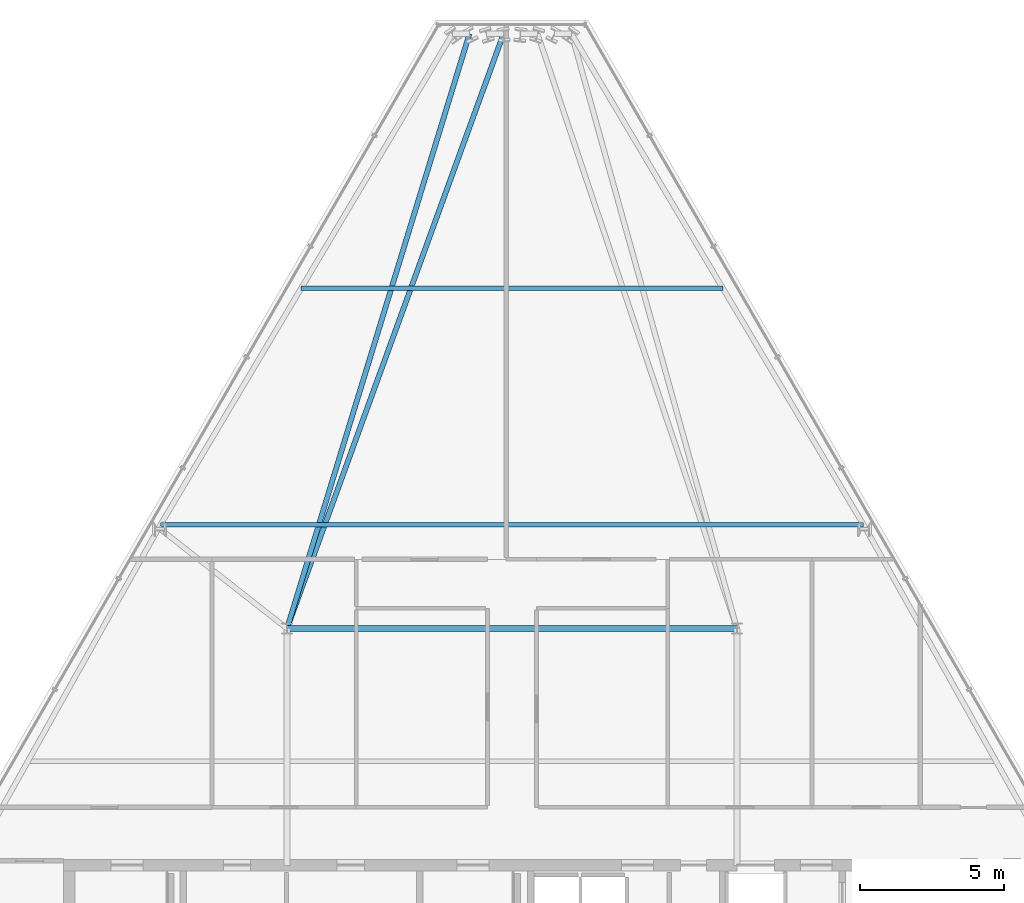
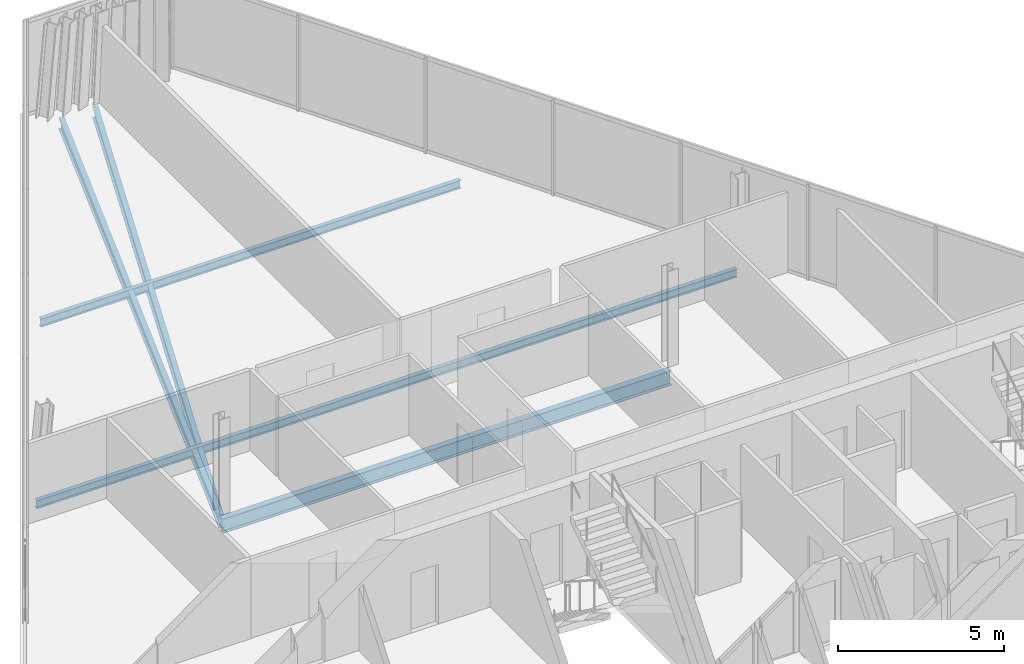
# One storey, part 18 of 35: 5 beams.
"""IFC4 building model written with IfcOpenShell, lengths in metres."""

import ifcopenshell
import ifcopenshell.guid

model = None  # the IFC model being written
_history = None  # IfcOwnerHistory: only IFC2X3 demands one
_inside = {}  # id of a spatial element -> (the spatial element, [elements in it])
_under = {}  # id of a project, library or spatial element -> (it, [spatial elements below it])
_declared = {}  # id of a project -> (the project, [libraries it declares])
_typed = {}  # id of a type object -> (the type object, [elements of that type])
_made_of = {}  # id of a material, layer set ... -> (it, [elements and type objects made of it])


def new_model(schema):
    """Start an empty IFC model of exactly this schema.

    Asked for "IFC4X3", IfcOpenShell would pick the latest addendum, in which some entities
    have other attributes; the version numbers below select the first issue.
    IFC2X3 requires an IfcOwnerHistory on every rooted entity: one is made here for all.
    """
    global model, _history
    if schema == "IFC4X3":
        model = ifcopenshell.file(schema_version=(4, 3, 0, 0))
    else:
        model = ifcopenshell.file(schema=schema)
    _inside.clear()
    _under.clear()
    _declared.clear()
    _typed.clear()
    _made_of.clear()
    _history = None
    if model.schema == "IFC2X3":
        org = make("IfcOrganization", Name="unknown")
        user = make(
            "IfcPersonAndOrganization",
            ThePerson=make("IfcPerson", FamilyName="unknown"),
            TheOrganization=org,
        )
        app = make(
            "IfcApplication",
            ApplicationDeveloper=org,
            Version="unknown",
            ApplicationFullName="unknown",
            ApplicationIdentifier="unknown",
        )
        _history = make(
            "IfcOwnerHistory",
            OwningUser=user,
            OwningApplication=app,
            ChangeAction="ADDED",
            CreationDate=0,
        )
    return model


def make(cls, **values):
    """One entity of the class cls with the attributes given. An attribute that is None is left unset."""
    return model.create_entity(
        cls, **{name: value for name, value in values.items() if value is not None}
    )


def rooted(cls, **values):
    """An entity with a GlobalId (a new one), such as an element, a storey or a relation."""
    return make(cls, GlobalId=ifcopenshell.guid.new(), OwnerHistory=_history, **values)


def si_unit(unit_type, name, prefix=None):
    """IfcSIUnit, for example si_unit("LENGTHUNIT", "METRE", prefix="MILLI")."""
    return make("IfcSIUnit", UnitType=unit_type, Prefix=prefix, Name=name)


def assignment(units):
    """IfcUnitAssignment: the units of a project."""
    return None if units is None else make("IfcUnitAssignment", Units=units)


def point(xyz):
    """IfcCartesianPoint."""
    return None if xyz is None else make("IfcCartesianPoint", Coordinates=xyz)


def direction(xyz):
    """IfcDirection."""
    return None if xyz is None else make("IfcDirection", DirectionRatios=xyz)


def frame(location, z_axis=None, x_axis=None):
    """IfcAxis2Placement3D, a coordinate frame: its origin and axes. An axis left out is left unset."""
    return make(
        "IfcAxis2Placement3D",
        Location=point(location),
        Axis=direction(z_axis),
        RefDirection=direction(x_axis),
    )


def frame_2d(location, x_axis=None):
    """IfcAxis2Placement2D, a coordinate frame in the plane: its origin and x axis."""
    return make(
        "IfcAxis2Placement2D", Location=point(location), RefDirection=direction(x_axis)
    )


def origin():
    """The frame at (0, 0, 0) with its axes left unset."""
    return frame((0.0, 0.0, 0.0))


def origin_2d():
    """The frame at (0, 0) in the plane with its x axis left unset."""
    return frame_2d((0.0, 0.0))


def place(relative_to, where):
    """IfcLocalPlacement: puts the frame where relative to a parent placement (None: the world)."""
    return make(
        "IfcLocalPlacement", PlacementRelTo=relative_to, RelativePlacement=where
    )


def context(
    kind, dimensions, precision=None, world=None, true_north=None, identifier=None
):
    """IfcGeometricRepresentationContext, for example the 3D "Model" context."""
    return make(
        "IfcGeometricRepresentationContext",
        ContextIdentifier=identifier,
        ContextType=kind,
        CoordinateSpaceDimension=dimensions,
        Precision=precision,
        WorldCoordinateSystem=world,
        TrueNorth=true_north,
    )


def subcontext(parent, identifier, kind, view, scale=None):
    """IfcGeometricRepresentationSubContext, for example "Body" below "Model"."""
    return make(
        "IfcGeometricRepresentationSubContext",
        ContextIdentifier=identifier,
        ContextType=kind,
        ParentContext=parent,
        TargetScale=scale,
        TargetView=view,
    )


def project(units=None, contexts=None):
    """IfcProject with its units and contexts."""
    return rooted(
        "IfcProject",
        Name="project",
        RepresentationContexts=contexts,
        UnitsInContext=assignment(units),
    )


def spatial(cls, under=None, at=None, **own):
    """A site, building, storey or space (cls), placed at a placement, below another one or the project."""
    s = rooted(cls, ObjectPlacement=at, **own)
    if under is not None:
        _under.setdefault(under.id(), (under, []))[1].append(s)
    return s


def profile(cls, at=None, kind="AREA", **sizes):
    """A parametric profile (cls). Its sizes go by their IFC names, for example OverallWidth=200.0."""
    return make(cls, ProfileType=kind, Position=at, **sizes)


def i_section(**sizes):
    """IfcIShapeProfileDef."""
    return profile("IfcIShapeProfileDef", **sizes)


def extrude(swept, where, along, depth):
    """IfcExtrudedAreaSolid: the profile swept, set in the frame where, extruded along a direction by depth."""
    return make(
        "IfcExtrudedAreaSolid",
        SweptArea=swept,
        Position=where,
        ExtrudedDirection=direction(along),
        Depth=depth,
    )


def shape(context_of_items, identifier, shape_type, items):
    """IfcShapeRepresentation: the items that make up one representation, for example the "Body"."""
    return make(
        "IfcShapeRepresentation",
        ContextOfItems=context_of_items,
        RepresentationIdentifier=identifier,
        RepresentationType=shape_type,
        Items=items,
    )


def material(Name=None, Category=None):
    """IfcMaterial."""
    return make("IfcMaterial", Name=Name, Category=Category)


def material_profile(
    of_material, cross_section, Name=None, Category=None, Priority=None
):
    """IfcMaterialProfile: a cross section and its material."""
    return make(
        "IfcMaterialProfile",
        Name=Name,
        Material=of_material,
        Profile=cross_section,
        Priority=Priority,
        Category=Category,
    )


def profile_set(profiles, Name=None, composite=None):
    """IfcMaterialProfileSet."""
    return make(
        "IfcMaterialProfileSet",
        Name=Name,
        MaterialProfiles=profiles,
        CompositeProfile=composite,
    )


def made_of(thing, what):
    """Note that an element or type object is made of a material, layer set ...; save() writes the relation."""
    if what is not None:
        _made_of.setdefault(what.id(), (what, []))[1].append(thing)
    return thing


def type_object(cls, material=None, **own):
    """A type object (cls), such as IfcWallType, which elements share."""
    return made_of(rooted(cls, **own), material)


def element(
    cls,
    number,
    at=None,
    inside=None,
    cuts=None,
    type_object=None,
    material=None,
    context=None,
    identifier="Body",
    shape_type=None,
    held_by="IfcProductDefinitionShape",
    body=None,
    shapes=None,
    **own,
):
    """One element of the class cls, such as IfcWall. Its Tag is "e" and its number.

    at: its placement. inside: the storey or other place that contains it. cuts: it is an
    opening in that element (IfcRelVoidsElement). A single representation is given by context,
    identifier, shape_type and body (its items); several are given by shapes. held_by: the class
    of the entity that holds the representations. save() writes the other relations.
    """
    e = rooted(cls, Tag="e%d" % number, ObjectPlacement=at, **own)
    if body is not None:
        shapes = [shape(context, identifier, shape_type, body)]
    if shapes is not None:
        e.Representation = make(held_by, Representations=shapes)
    if inside is not None:
        _inside.setdefault(inside.id(), (inside, []))[1].append(e)
    if cuts is not None:
        rooted(
            "IfcRelVoidsElement", RelatingBuildingElement=cuts, RelatedOpeningElement=e
        )
    if type_object is not None:
        _typed.setdefault(type_object.id(), (type_object, []))[1].append(e)
    return made_of(e, material)


def aggregate(whole, parts):
    """IfcRelAggregates: a whole, such as a stair, and the parts it consists of."""
    return rooted("IfcRelAggregates", RelatingObject=whole, RelatedObjects=parts)


def save(model, path):
    """Write the relations noted so far, then the file.

    IfcRelAggregates (storeys below a building ...), IfcRelContainedInSpatialStructure (elements
    in a storey), IfcRelDefinesByType, IfcRelAssociatesMaterial and IfcRelDeclares: one each for
    every whole, place, type object, material and project.
    """
    for whole, parts in _under.values():
        aggregate(whole, parts)
    for where, things in _inside.values():
        rooted(
            "IfcRelContainedInSpatialStructure",
            RelatedElements=things,
            RelatingStructure=where,
        )
    for kind, things in _typed.values():
        rooted("IfcRelDefinesByType", RelatedObjects=things, RelatingType=kind)
    for what, things in _made_of.values():
        rooted("IfcRelAssociatesMaterial", RelatedObjects=things, RelatingMaterial=what)
    for by, libraries in _declared.values():
        rooted("IfcRelDeclares", RelatingContext=by, RelatedDefinitions=libraries)
    model.write(path)


model = new_model("IFC4")

# Units and contexts
model_context = context("Model", 3, precision=1e-05, world=origin(), true_north=direction((0.0, 1.0)))
body_context = subcontext(model_context, "Body", "Model", "MODEL_VIEW")
ifc_project = project(units=[si_unit("LENGTHUNIT", "METRE"), si_unit("AREAUNIT", "SQUARE_METRE"), si_unit("VOLUMEUNIT", "CUBIC_METRE"), si_unit("PLANEANGLEUNIT", "RADIAN"), si_unit("MASSUNIT", "GRAM", prefix="KILO")], contexts=[model_context])

# Site, building, storey
site_placement = place(None, origin())
site = spatial("IfcSite", under=ifc_project, at=site_placement, CompositionType="ELEMENT")
building_placement = place(site_placement, origin())
building = spatial("IfcBuilding", under=site, at=building_placement, Name="Ndaravel Arena Tower", CompositionType="ELEMENT")
storey_placement = place(building_placement, frame((0.0, 0.0, 275.0)))
storey = spatial("IfcBuildingStorey", under=building, at=storey_placement, Name="L67", CompositionType="ELEMENT", Elevation=275.0)

# Beams
ifc_material_1 = material(Name="Steel S355", Category="steel")
ifc_material_profile_1 = material_profile(ifc_material_1, i_section(OverallWidth=0.1787109375, OverallDepth=0.409423828125, WebThickness=0.0087890625, FlangeThickness=0.014404296875, FilletRadius=0.01025390625, at=origin_2d()), Name="UB 406x178x67")
ifc_profile_set_1 = profile_set([ifc_material_profile_1], Name="Steel S355")
beam_type_1 = type_object("IfcBeamType", Name="BM-GIRD-UB406", PredefinedType="BEAM", material=ifc_profile_set_1)
beam_1_placement = place(storey_placement, frame((41.705078125, 43.818115234375, -0.4248046875), z_axis=(-0.342049479082, -0.939681942925, 0.0), x_axis=(0.939681942925, -0.342049479082, 0.0)))
element("IfcBeam", 1, at=beam_1_placement, inside=storey, type_object=beam_type_1, Name="L67 Radial Floor Girder FG-15", PredefinedType="BEAM", context=body_context, shape_type="SweptSolid", body=[
    extrude(i_section(OverallWidth=0.1787109375, OverallDepth=0.409423828125, WebThickness=0.0087890625, FlangeThickness=0.014404296875, FilletRadius=0.01025390625, at=origin_2d()), origin(), (0.0, 0.0, 1.0), 21.941650390625),
])
beam_2_placement = place(storey_placement, frame((40.52490234375, 43.818115234375, -0.4248046875), z_axis=(-0.293276735025, -0.956027592015, 0.0), x_axis=(0.956027592015, -0.293276735025, 0.0)))
element("IfcBeam", 2, at=beam_2_placement, inside=storey, type_object=beam_type_1, Name="L67 Radial Floor Girder FG-17", PredefinedType="BEAM", context=body_context, shape_type="SweptSolid", body=[
    extrude(i_section(OverallWidth=0.1787109375, OverallDepth=0.409423828125, WebThickness=0.0087890625, FlangeThickness=0.014404296875, FilletRadius=0.01025390625, at=origin_2d()), origin(), (0.0, 0.0, 1.0), 21.56640625),
])
ifc_material_2 = material(Name="Steel S355", Category="steel")
ifc_material_profile_2 = material_profile(ifc_material_2, i_section(OverallWidth=0.210693359375, OverallDepth=0.53955078125, WebThickness=0.01171875, FlangeThickness=0.018798828125, FilletRadius=0.0126953125, at=origin_2d()), Name="UB 533x210x109")
ifc_profile_set_2 = profile_set([ifc_material_profile_2], Name="Steel S355")
beam_type_2 = type_object("IfcBeamType", Name="BM-GIRD-UB533", PredefinedType="BEAM", material=ifc_profile_set_2)
beam_3_placement = place(storey_placement, frame((34.199951171875, 23.199951171875, -0.48974609375), z_axis=(1.0, 0.0, 0.0), x_axis=(0.0, 1.0, 0.0)))
element("IfcBeam", 3, at=beam_3_placement, inside=storey, type_object=beam_type_2, Name="L67 Spine Link Girder SLG-03", PredefinedType="BEAM", context=body_context, shape_type="SweptSolid", body=[
    extrude(i_section(OverallWidth=0.210693359375, OverallDepth=0.53955078125, WebThickness=0.01171875, FlangeThickness=0.018798828125, FilletRadius=0.0126953125, at=origin_2d()), origin(), (0.0, 0.0, 1.0), 15.60009765625),
])
ifc_material_3 = material(Name="Steel S355", Category="steel")
ifc_material_profile_3 = material_profile(ifc_material_3, i_section(OverallWidth=0.14990234375, OverallDepth=0.300048828125, WebThickness=0.007080078125, FlangeThickness=0.0107421875, FilletRadius=0.014892578125, at=origin_2d()), Name="IPE 300")
ifc_profile_set_3 = profile_set([ifc_material_profile_3], Name="Steel S355")
beam_type_3 = type_object("IfcBeamType", Name="BM-JOIST-IPE300", PredefinedType="JOIST", material=ifc_profile_set_3)
beam_4_placement = place(storey_placement, frame((29.81640625, 26.800048828125, -0.3701171875), z_axis=(1.0, 0.0, 0.0), x_axis=(0.0, 1.0, 0.0)))
element("IfcBeam", 4, at=beam_4_placement, inside=storey, type_object=beam_type_3, Name="L67 Composite Floor Joist FJ-02", PredefinedType="JOIST", context=body_context, shape_type="SweptSolid", body=[
    extrude(i_section(OverallWidth=0.14990234375, OverallDepth=0.300048828125, WebThickness=0.007080078125, FlangeThickness=0.0107421875, FilletRadius=0.014892578125, at=origin_2d()), origin(), (0.0, 0.0, 1.0), 24.3671875),
])
beam_5_placement = place(storey_placement, frame((34.69189453125, 35.0, -0.3701171875), z_axis=(1.0, 0.0, 0.0), x_axis=(0.0, 1.0, 0.0)))
element("IfcBeam", 5, at=beam_5_placement, inside=storey, type_object=beam_type_3, Name="L67 Composite Floor Joist FJ-03", PredefinedType="JOIST", context=body_context, shape_type="SweptSolid", body=[
    extrude(i_section(OverallWidth=0.14990234375, OverallDepth=0.300048828125, WebThickness=0.007080078125, FlangeThickness=0.0107421875, FilletRadius=0.014892578125, at=origin_2d()), origin(), (0.0, 0.0, 1.0), 14.6162109375),
])

save(model, "model.ifc")
